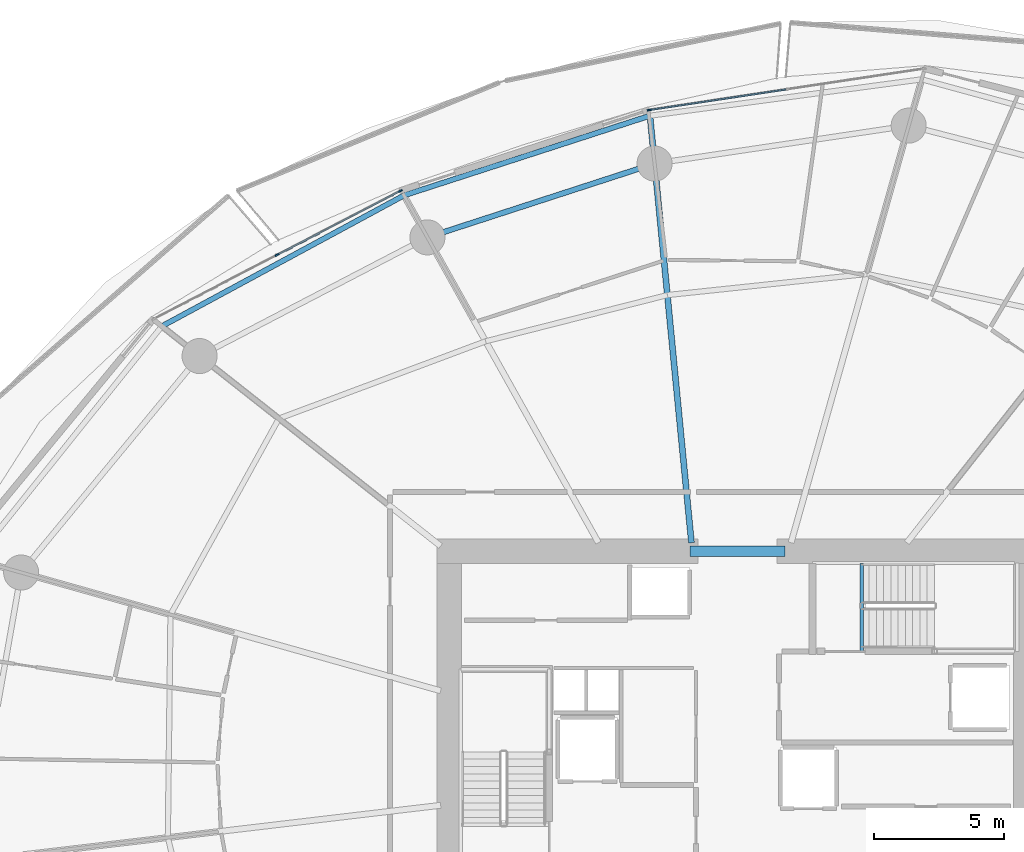
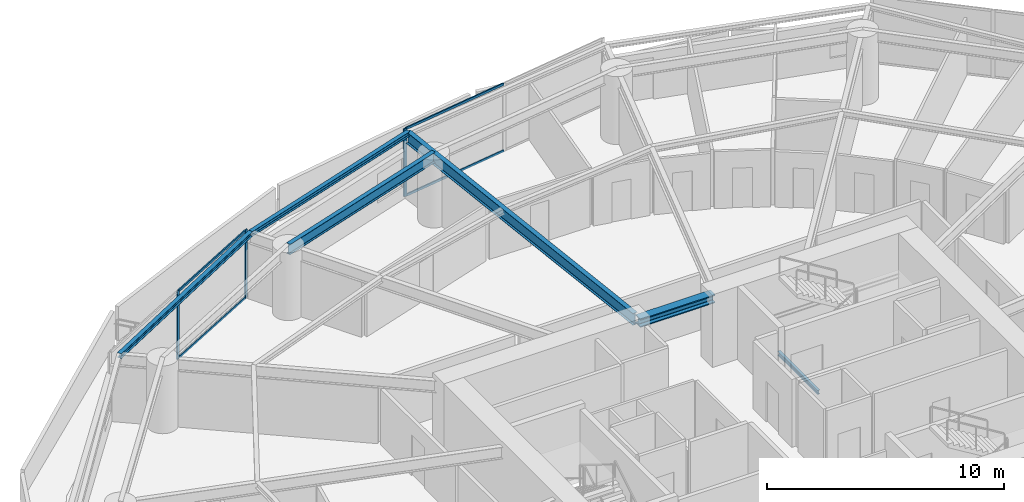
# One storey, part 13 of 30: 7 members, 6 beams, 2 elements without a shape of their own.
"""IFC4 building model written with IfcOpenShell, lengths in metres."""

from ifc_helpers import new_model, si_unit, direction, frame, origin, origin_2d, place, context, subcontext, project, spatial, rectangle, i_section, extrude, material, layer, layer_set, material_profile, profile_set, type_object, element, aggregate, save


model = new_model("IFC4")

# Units and contexts
model_context = context("Model", 3, precision=1e-05, world=origin(), true_north=direction((0.0, 1.0)))
body_context = subcontext(model_context, "Body", "Model", "MODEL_VIEW")
ifc_project = project(units=[si_unit("LENGTHUNIT", "METRE"), si_unit("AREAUNIT", "SQUARE_METRE"), si_unit("VOLUMEUNIT", "CUBIC_METRE"), si_unit("PLANEANGLEUNIT", "RADIAN"), si_unit("MASSUNIT", "GRAM", prefix="KILO")], contexts=[model_context])

# Site, building, storey
site_placement = place(None, origin())
site = spatial("IfcSite", under=ifc_project, at=site_placement, CompositionType="ELEMENT")
building_placement = place(site_placement, origin())
building = spatial("IfcBuilding", under=site, at=building_placement, Name="Kazma Halo Residences", CompositionType="ELEMENT")
storey_placement = place(building_placement, frame((0.0, 0.0, 56.39990234375)))
storey = spatial("IfcBuildingStorey", under=building, at=storey_placement, Name="L13", CompositionType="ELEMENT", Elevation=56.39990234375)

# Beams
ifc_material_1 = material(Name="Steel S355", Category="steel")
ifc_material_profile_1 = material_profile(ifc_material_1, i_section(OverallWidth=0.201904296875, OverallDepth=0.2470703125, WebThickness=0.00732421875, FlangeThickness=0.010986328125, FilletRadius=0.011962890625, at=origin_2d()), Name="W250x49.1")
ifc_profile_set_1 = profile_set([ifc_material_profile_1], Name="Steel S355")
beam_type_1 = type_object("IfcBeamType", Name="BM-BAL-CANT", PredefinedType="BEAM", material=ifc_profile_set_1)
beam_1_placement = place(storey_placement, frame((45.052734375, 67.230712890625, 3.376708984375), z_axis=(-0.951307246639, -0.308244257842, 0.0), x_axis=(0.308244257842, -0.951307246639, 0.0)))
element("IfcBeam", 1, at=beam_1_placement, inside=storey, type_object=beam_type_1, Name="L13 wave-balcony tie beam 04", PredefinedType="BEAM", context=body_context, shape_type="SweptSolid", body=[
    extrude(i_section(OverallWidth=0.201904296875, OverallDepth=0.2470703125, WebThickness=0.00732421875, FlangeThickness=0.010986328125, FilletRadius=0.011962890625, at=origin_2d()), origin(), (0.0, 0.0, 1.0), 9.949462890625),
])
beam_2_placement = place(storey_placement, frame((35.587646484375, 64.163818359375, 3.376708984375), z_axis=(-0.879759421466, -0.47541914175, 0.0), x_axis=(0.47541914175, -0.879759421466, 0.0)))
element("IfcBeam", 2, at=beam_2_placement, inside=storey, type_object=beam_type_1, Name="L13 wave-balcony tie beam 05", PredefinedType="BEAM", context=body_context, shape_type="SweptSolid", body=[
    extrude(i_section(OverallWidth=0.201904296875, OverallDepth=0.2470703125, WebThickness=0.00732421875, FlangeThickness=0.010986328125, FilletRadius=0.011962890625, at=origin_2d()), origin(), (0.0, 0.0, 1.0), 10.58935546875),
])
ifc_material_profile_2 = material_profile(ifc_material_1, i_section(OverallWidth=0.408935546875, OverallDepth=0.425048828125, WebThickness=0.03271484375, FlangeThickness=0.052490234375, FilletRadius=0.02001953125, at=origin_2d()), Name="W360x421")
ifc_profile_set_2 = profile_set([ifc_material_profile_2], Name="Steel S355")
beam_type_2 = type_object("IfcBeamType", Name="BM-CORE-W360H", PredefinedType="BEAM", material=ifc_profile_set_2)
beam_3_placement = place(storey_placement, frame((46.60009765625, 50.47509765625, 3.28759765625), z_axis=(1.0, 0.0, 0.0), x_axis=(0.0, 1.0, 0.0)))
element("IfcBeam", 3, at=beam_3_placement, inside=storey, type_object=beam_type_2, Name="L13 core coupling beam N", PredefinedType="BEAM", context=body_context, shape_type="SweptSolid", body=[
    extrude(i_section(OverallWidth=0.408935546875, OverallDepth=0.425048828125, WebThickness=0.03271484375, FlangeThickness=0.052490234375, FilletRadius=0.02001953125, at=origin_2d()), origin(), (0.0, 0.0, 1.0), 3.64990234375),
])
ifc_material_profile_3 = material_profile(ifc_material_1, i_section(OverallWidth=0.22802734375, OverallDepth=0.60791015625, WebThickness=0.01123046875, FlangeThickness=0.017333984375, FilletRadius=0.01806640625, at=origin_2d()), Name="W610x113")
ifc_profile_set_3 = profile_set([ifc_material_profile_3], Name="Steel S355")
beam_type_3 = type_object("IfcBeamType", Name="BM-RAD-W610", PredefinedType="BEAM", material=ifc_profile_set_3)
beam_4_placement = place(storey_placement, frame((46.64990234375, 50.800048828125, 3.196044921875), z_axis=(-0.096750509471, 0.995308665147, 0.0), x_axis=(-0.995308665147, -0.096750509471, 0.0)))
element("IfcBeam", 4, at=beam_4_placement, inside=storey, type_object=beam_type_3, Name="L13 radial floor beam 04", PredefinedType="BEAM", context=body_context, shape_type="SweptSolid", body=[
    extrude(i_section(OverallWidth=0.22802734375, OverallDepth=0.60791015625, WebThickness=0.01123046875, FlangeThickness=0.017333984375, FilletRadius=0.01806640625, at=origin_2d()), origin(), (0.0, 0.0, 1.0), 16.508056640625),
])
ifc_material_profile_4 = material_profile(ifc_material_1, i_section(OverallWidth=0.208984375, OverallDepth=0.532958984375, WebThickness=0.01025390625, FlangeThickness=0.015625, FilletRadius=0.01611328125, at=origin_2d()), Name="W530x92")
ifc_profile_set_4 = profile_set([ifc_material_profile_4], Name="Steel S355")
beam_type_4 = type_object("IfcBeamType", Name="BM-SPN-W530", PredefinedType="BEAM", material=ifc_profile_set_4)
beam_5_placement = place(storey_placement, frame((45.231689453125, 65.389404296875, 3.233642578125), z_axis=(-0.951054956346, -0.309021795363, 0.0), x_axis=(0.309021795363, -0.951054956346, 0.0)))
element("IfcBeam", 5, at=beam_5_placement, inside=storey, type_object=beam_type_4, Name="L13 perimeter ring beam 04", PredefinedType="BEAM", context=body_context, shape_type="SweptSolid", body=[
    extrude(i_section(OverallWidth=0.208984375, OverallDepth=0.532958984375, WebThickness=0.01025390625, FlangeThickness=0.015625, FilletRadius=0.01611328125, at=origin_2d()), origin(), (0.0, 0.0, 1.0), 9.189697265625),
])
ifc_material_profile_5 = material_profile(ifc_material_1, i_section(OverallWidth=0.133056640625, OverallDepth=0.20703125, WebThickness=0.005859375, FlangeThickness=0.00830078125, FilletRadius=0.010009765625, at=origin_2d()), Name="W200x26.6")
ifc_profile_set_5 = profile_set([ifc_material_profile_5], Name="Steel S355")
beam_type_5 = type_object("IfcBeamType", Name="BM-TRIM-W200", PredefinedType="BEAM", material=ifc_profile_set_5)
beam_6_placement = place(storey_placement, frame((53.199951171875, 46.6201171875, -0.35986328125), z_axis=(0.0, 1.0, 0.0), x_axis=(-1.0, 0.0, 0.0)))
element("IfcBeam", 6, at=beam_6_placement, inside=storey, type_object=beam_type_5, Name="L13 ST-02 floor landing support beam", PredefinedType="BEAM", context=body_context, shape_type="SweptSolid", body=[
    extrude(i_section(OverallWidth=0.133056640625, OverallDepth=0.20703125, WebThickness=0.005859375, FlangeThickness=0.00830078125, FilletRadius=0.010009765625, at=origin_2d()), origin(), (0.0, 0.0, 1.0), 3.3798828125),
])

# Curtain wall, member
ifc_material_2 = material(Name="Aluminium AW-6063 T6 and Triple-Silver Low-E Glass", Category="aluminium")
ifc_layer = layer(ifc_material_2, 0.159912109375)
ifc_layer_set = layer_set([ifc_layer], Name="Aluminium AW-6063 T6 and Triple-Silver Low-E Glass")
curtain_wall_type = type_object("IfcCurtainWallType", Name="CW-SYS-2", PredefinedType="NOTDEFINED", material=ifc_layer_set)
curtain_wall_1_placement = place(storey_placement, origin())
curtain_wall_1 = element("IfcCurtainWall", 7, at=curtain_wall_1_placement, inside=storey, type_object=curtain_wall_type, Name="L13 unitised curtain wall B03", PredefinedType="NOTDEFINED")
ifc_material_3 = material(Name="Aluminium AW-6063 T6", Category="aluminium")
ifc_material_profile_6 = material_profile(ifc_material_3, rectangle(XDim=0.06005859375, YDim=0.159912109375, at=origin_2d()), Name="CWM-60x160")
ifc_profile_set_6 = profile_set([ifc_material_profile_6], Name="Aluminium AW-6063 T6")
member_type_1 = type_object("IfcMemberType", Name="CW-SYS-2-MUL", PredefinedType="MULLION", material=ifc_profile_set_6)
member_1_placement = place(storey_placement, frame((45.018310546875, 67.447509765625, 0.0), z_axis=(0.0, 0.0, 1.0), x_axis=(0.148657272805, -0.988888777994, 0.0)))
member_1 = element("IfcMember", 8, at=member_1_placement, type_object=member_type_1, Name="CWS-2 mullion 3", PredefinedType="MULLION", context=body_context, shape_type="SweptSolid", body=[
    extrude(rectangle(XDim=0.06005859375, YDim=0.159912109375, at=origin_2d()), origin(), (0.0, 0.0, 1.0), 3.5),
])

# Curtain wall, members
curtain_wall_2_placement = place(storey_placement, origin())
curtain_wall_2 = element("IfcCurtainWall", 9, at=curtain_wall_2_placement, inside=storey, type_object=curtain_wall_type, Name="L13 unitised curtain wall B05", PredefinedType="NOTDEFINED")
member_2_placement = place(storey_placement, frame((35.45458984375, 64.340087890625, 0.0), z_axis=(0.0, 0.0, 1.0), x_axis=(0.460995912628, -0.887402258584, 0.0)))
member_2 = element("IfcMember", 10, at=member_2_placement, type_object=member_type_1, Name="CWS-2 mullion 1", PredefinedType="MULLION", context=body_context, shape_type="SweptSolid", body=[
    extrude(rectangle(XDim=0.06005859375, YDim=0.159912109375, at=origin_2d()), origin(), (0.0, 0.0, 1.0), 3.5),
])
member_3_placement = place(storey_placement, frame((30.7080078125, 61.874267578125, 0.0), z_axis=(0.0, 0.0, 1.0), x_axis=(0.460995912628, -0.887402258584, 0.0)))
member_3 = element("IfcMember", 11, at=member_3_placement, type_object=member_type_1, Name="CWS-2 mullion 2", PredefinedType="MULLION", context=body_context, shape_type="SweptSolid", body=[
    extrude(rectangle(XDim=0.06005859375, YDim=0.159912109375, at=origin_2d()), origin(), (0.0, 0.0, 1.0), 3.5),
])

# Member
ifc_material_profile_7 = material_profile(ifc_material_3, rectangle(XDim=0.06005859375, YDim=0.1201171875, at=origin_2d()), Name="CWT-60x120")
ifc_profile_set_7 = profile_set([ifc_material_profile_7], Name="Aluminium AW-6063 T6")
member_type_2 = type_object("IfcMemberType", Name="CW-SYS-2-TRN", PredefinedType="USERDEFINED", material=ifc_profile_set_7)
member_4_placement = place(storey_placement, frame((50.278076171875, 68.238037109375, 0.030029296875), z_axis=(-0.98889195415, -0.148636143041, 0.0), x_axis=(0.148636143041, -0.98889195415, 0.0)))
member_4 = element("IfcMember", 12, at=member_4_placement, type_object=member_type_2, Name="CWS-2 transom 2.1", ObjectType="TRANSOM", PredefinedType="USERDEFINED", context=body_context, shape_type="SweptSolid", body=[
    extrude(rectangle(XDim=0.06005859375, YDim=0.1201171875, at=origin_2d()), origin(), (0.0, 0.0, 1.0), 5.2890625),
])

member_5_placement = place(storey_placement, frame((50.278076171875, 68.238037109375, 3.47021484375), z_axis=(-0.98889195415, -0.148636143041, 0.0), x_axis=(0.148636143041, -0.98889195415, 0.0)))
member_5 = element("IfcMember", 13, at=member_5_placement, type_object=member_type_2, Name="CWS-2 transom 2.2", ObjectType="TRANSOM", PredefinedType="USERDEFINED", context=body_context, shape_type="SweptSolid", body=[
    extrude(rectangle(XDim=0.06005859375, YDim=0.1201171875, at=origin_2d()), origin(), (0.0, 0.0, 1.0), 5.2890625),
])

aggregate(curtain_wall_1, [member_1, member_4, member_5])

member_6_placement = place(storey_placement, frame((35.427978515625, 64.326171875, 0.030029296875), z_axis=(-0.887414738583, -0.460971888238, 0.0), x_axis=(0.460971888238, -0.887414738583, 0.0)))
member_6 = element("IfcMember", 14, at=member_6_placement, type_object=member_type_2, Name="CWS-2 transom 1.1", ObjectType="TRANSOM", PredefinedType="USERDEFINED", context=body_context, shape_type="SweptSolid", body=[
    extrude(rectangle(XDim=0.06005859375, YDim=0.1201171875, at=origin_2d()), origin(), (0.0, 0.0, 1.0), 5.288818359375),
])

member_7_placement = place(storey_placement, frame((35.427978515625, 64.326171875, 3.47021484375), z_axis=(-0.887414738583, -0.460971888238, 0.0), x_axis=(0.460971888238, -0.887414738583, 0.0)))
member_7 = element("IfcMember", 15, at=member_7_placement, type_object=member_type_2, Name="CWS-2 transom 1.2", ObjectType="TRANSOM", PredefinedType="USERDEFINED", context=body_context, shape_type="SweptSolid", body=[
    extrude(rectangle(XDim=0.06005859375, YDim=0.1201171875, at=origin_2d()), origin(), (0.0, 0.0, 1.0), 5.288818359375),
])

aggregate(curtain_wall_2, [member_2, member_3, member_6, member_7])

save(model, "model.ifc")
